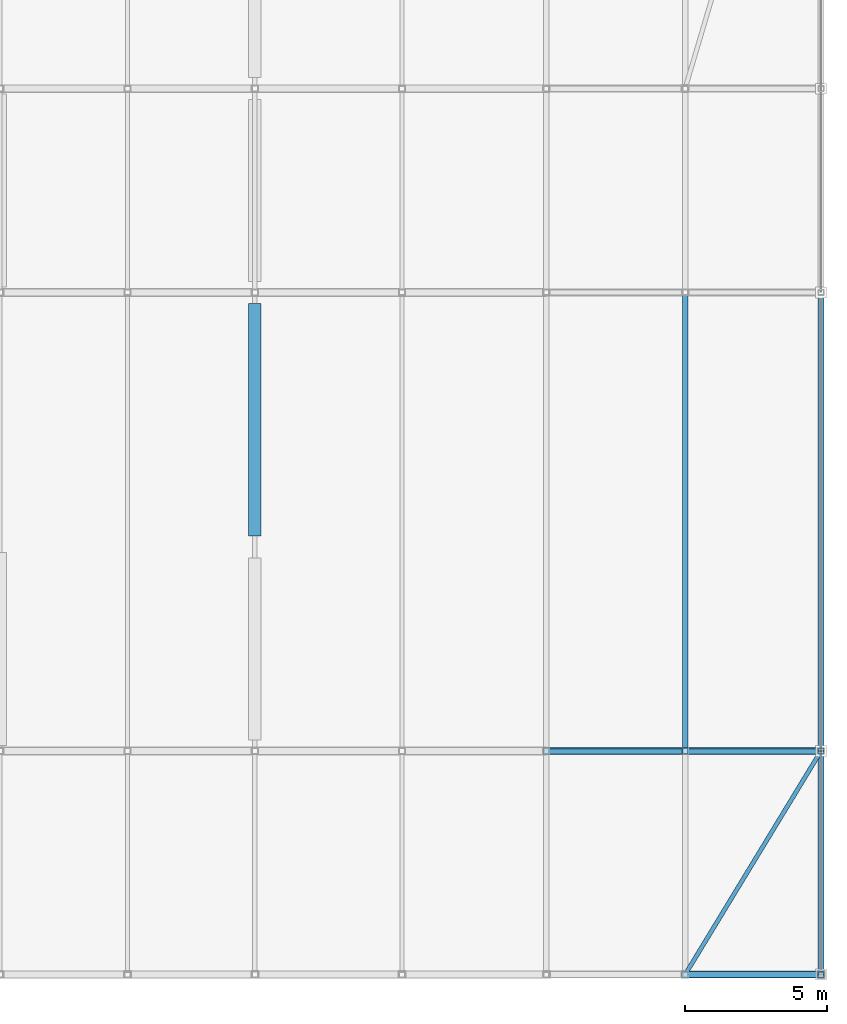
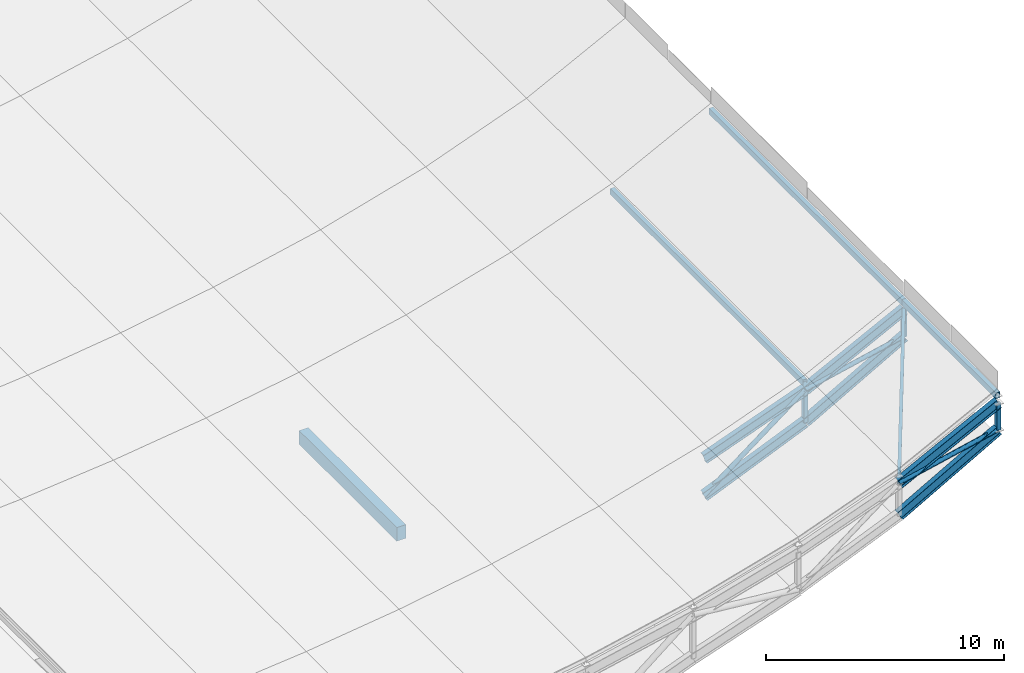
# One storey, part 6 of 24: 10 members, 7 beams.
"""IFC4 building model written with IfcOpenShell, lengths in metres."""

from ifc_helpers import new_model, si_unit, direction, frame, origin, origin_2d, place, context, subcontext, project, spatial, rectangle, hollow_rectangle, hollow_circle, i_section, extrude, material, material_profile, profile_set, type_object, element, save


model = new_model("IFC4")

# Units and contexts
model_context = context("Model", 3, precision=1e-05, world=origin(), true_north=direction((0.0, 1.0)))
body_context = subcontext(model_context, "Body", "Model", "MODEL_VIEW")
ifc_project = project(units=[si_unit("LENGTHUNIT", "METRE"), si_unit("AREAUNIT", "SQUARE_METRE"), si_unit("VOLUMEUNIT", "CUBIC_METRE"), si_unit("PLANEANGLEUNIT", "RADIAN"), si_unit("MASSUNIT", "GRAM", prefix="KILO"), si_unit("THERMODYNAMICTEMPERATUREUNIT", "KELVIN"), si_unit("POWERUNIT", "WATT")], contexts=[model_context])

# Site, building, storey
site_placement = place(None, origin())
site = spatial("IfcSite", under=ifc_project, at=site_placement, CompositionType="ELEMENT")
building_placement = place(site_placement, origin())
building = spatial("IfcBuilding", under=site, at=building_placement, Name="Sindhuravela Promenade Stadium", CompositionType="ELEMENT")
storey_placement = place(building_placement, frame((0.0, 0.0, 28.800048828125)))
storey = spatial("IfcBuildingStorey", under=building, at=storey_placement, Name="RF", CompositionType="ELEMENT", Elevation=28.800048828125)

# Beams
ifc_material_1 = material(Name="Concrete M40", Category="concrete")
ifc_material_profile_1 = material_profile(ifc_material_1, rectangle(XDim=0.449951171875, YDim=0.699951171875, at=origin_2d()), Name="RC 450x700")
ifc_profile_set_1 = profile_set([ifc_material_profile_1], Name="Concrete M40")
beam_type_1 = type_object("IfcBeamType", Name="RC-BM-450x700", PredefinedType="BEAM", material=ifc_profile_set_1)
beam_1_placement = place(storey_placement, frame((36.0, 52.590087890625, -0.590087890625), z_axis=(0.0, 1.0, 0.0), x_axis=(-1.0, 0.0, 0.0)))
element("IfcBeam", 1, at=beam_1_placement, inside=storey, type_object=beam_type_1, Name="Primary beam GB07 WEST RF", PredefinedType="BEAM", context=body_context, shape_type="SweptSolid", body=[
    extrude(rectangle(XDim=0.449951171875, YDim=0.699951171875, at=origin_2d()), origin(), (0.0, 0.0, 1.0), 8.219970703125),
])
ifc_material_2 = material(Name="Steel E350 (IS 2062 E350BR)", Category="steel")
ifc_material_profile_2 = material_profile(ifc_material_2, i_section(OverallWidth=0.25, OverallDepth=0.5, WebThickness=0.010009765625, FlangeThickness=0.0146484375, FilletRadius=0.014892578125, at=origin_2d()), Name="ISWB 500")
ifc_profile_set_2 = profile_set([ifc_material_profile_2], Name="Steel E350 (IS 2062 E350BR)")
beam_type_2 = type_object("IfcBeamType", Name="ST-BM-WB500", PredefinedType="USERDEFINED", material=ifc_profile_set_2)
beam_2_placement = place(storey_placement, frame((51.199951171875, 37.10009765625, 6.054931640625), z_axis=(0.8914422517070215, 0.0, 0.4531343199003089), x_axis=(0.0, 1.0, 0.0)))
element("IfcBeam", 2, at=beam_2_placement, inside=storey, type_object=beam_type_2, Name="Roof truss RT-W01 top chord 8", ObjectType="ROOF TRUSS", PredefinedType="USERDEFINED", context=body_context, shape_type="SweptSolid", body=[
    extrude(i_section(OverallWidth=0.25, OverallDepth=0.5, WebThickness=0.010009765625, FlangeThickness=0.0146484375, FilletRadius=0.014892578125, at=origin_2d()), origin(), (0.0, 0.0, 1.0), 5.384521484375),
])
beam_3_placement = place(storey_placement, frame((51.199951171875, 37.10009765625, 4.41015625), z_axis=(0.870823391625607, 0.0, 0.4915959932685322), x_axis=(0.0, 1.0, 0.0)))
element("IfcBeam", 3, at=beam_3_placement, inside=storey, type_object=beam_type_2, Name="Roof truss RT-W01 bottom chord 8", ObjectType="ROOF TRUSS", PredefinedType="USERDEFINED", context=body_context, shape_type="SweptSolid", body=[
    extrude(i_section(OverallWidth=0.25, OverallDepth=0.5, WebThickness=0.010009765625, FlangeThickness=0.0146484375, FilletRadius=0.014892578125, at=origin_2d()), origin(), (0.0, 0.0, 1.0), 5.511962890625),
])
beam_4_placement = place(storey_placement, frame((46.300048828125, 45.0, 4.24658203125), z_axis=(0.9381490392087664, 0.0, 0.34623168577076896), x_axis=(0.0, 1.0, 0.0)))
element("IfcBeam", 4, at=beam_4_placement, inside=storey, type_object=beam_type_2, Name="Roof truss RT-W02 top chord 7", ObjectType="ROOF TRUSS", PredefinedType="USERDEFINED", context=body_context, shape_type="SweptSolid", body=[
    extrude(i_section(OverallWidth=0.25, OverallDepth=0.5, WebThickness=0.010009765625, FlangeThickness=0.0146484375, FilletRadius=0.014892578125, at=origin_2d()), origin(), (0.0, 0.0, 1.0), 5.222900390625),
])
beam_5_placement = place(storey_placement, frame((46.300048828125, 45.0, 2.325927734375), z_axis=(0.9202112137061758, 0.0, 0.39142217894417647), x_axis=(0.0, 1.0, 0.0)))
element("IfcBeam", 5, at=beam_5_placement, inside=storey, type_object=beam_type_2, Name="Roof truss RT-W02 bottom chord 7", ObjectType="ROOF TRUSS", PredefinedType="USERDEFINED", context=body_context, shape_type="SweptSolid", body=[
    extrude(i_section(OverallWidth=0.25, OverallDepth=0.5, WebThickness=0.010009765625, FlangeThickness=0.0146484375, FilletRadius=0.014892578125, at=origin_2d()), origin(), (0.0, 0.0, 1.0), 5.32470703125),
])
beam_6_placement = place(storey_placement, frame((51.199951171875, 45.0, 6.054931640625), z_axis=(0.8914422517070215, 0.0, 0.4531343199003089), x_axis=(0.0, 1.0, 0.0)))
element("IfcBeam", 6, at=beam_6_placement, inside=storey, type_object=beam_type_2, Name="Roof truss RT-W02 top chord 8", ObjectType="ROOF TRUSS", PredefinedType="USERDEFINED", context=body_context, shape_type="SweptSolid", body=[
    extrude(i_section(OverallWidth=0.25, OverallDepth=0.5, WebThickness=0.010009765625, FlangeThickness=0.0146484375, FilletRadius=0.014892578125, at=origin_2d()), origin(), (0.0, 0.0, 1.0), 5.384521484375),
])
beam_7_placement = place(storey_placement, frame((51.199951171875, 45.0, 4.41015625), z_axis=(0.870823391625607, 0.0, 0.4915959932685322), x_axis=(0.0, 1.0, 0.0)))
element("IfcBeam", 7, at=beam_7_placement, inside=storey, type_object=beam_type_2, Name="Roof truss RT-W02 bottom chord 8", ObjectType="ROOF TRUSS", PredefinedType="USERDEFINED", context=body_context, shape_type="SweptSolid", body=[
    extrude(i_section(OverallWidth=0.25, OverallDepth=0.5, WebThickness=0.010009765625, FlangeThickness=0.0146484375, FilletRadius=0.014892578125, at=origin_2d()), origin(), (0.0, 0.0, 1.0), 5.511962890625),
])

# Members
ifc_material_profile_3 = material_profile(ifc_material_2, hollow_circle(Radius=0.109619140625, WallThickness=0.010009765625, at=origin_2d()), Name="CHS 219.1x10")
ifc_profile_set_3 = profile_set([ifc_material_profile_3], Name="Steel E350 (IS 2062 E350BR)")
member_type_1 = type_object("IfcMemberType", Name="ST-MB-CHS219", PredefinedType="BRACE", material=ifc_profile_set_3)
member_1_placement = place(storey_placement, frame((51.199951171875, 37.10009765625, 6.054931640625), z_axis=(0.9762617763838976, 0.0, 0.21659396106945533), x_axis=(0.0, 1.0, 0.0)))
element("IfcMember", 8, at=member_1_placement, inside=storey, type_object=member_type_1, Name="Roof truss RT-W01 diagonal web 8", PredefinedType="BRACE", context=body_context, shape_type="SweptSolid", body=[
    extrude(hollow_circle(Radius=0.109619140625, WallThickness=0.010009765625, at=origin_2d()), origin(), (0.0, 0.0, 1.0), 4.916748046875),
])
member_2_placement = place(storey_placement, frame((46.300048828125, 45.0, 2.325927734375), z_axis=(0.7957647236205557, 0.0, 0.605605898783277), x_axis=(0.0, 1.0, 0.0)))
element("IfcMember", 9, at=member_2_placement, inside=storey, type_object=member_type_1, Name="Roof truss RT-W02 diagonal web 7", PredefinedType="BRACE", context=body_context, shape_type="SweptSolid", body=[
    extrude(hollow_circle(Radius=0.109619140625, WallThickness=0.010009765625, at=origin_2d()), origin(), (0.0, 0.0, 1.0), 6.157470703125),
])
member_3_placement = place(storey_placement, frame((51.199951171875, 45.0, 6.054931640625), z_axis=(0.9762617763838976, 0.0, 0.21659396106945533), x_axis=(0.0, 1.0, 0.0)))
element("IfcMember", 10, at=member_3_placement, inside=storey, type_object=member_type_1, Name="Roof truss RT-W02 diagonal web 8", PredefinedType="BRACE", context=body_context, shape_type="SweptSolid", body=[
    extrude(hollow_circle(Radius=0.109619140625, WallThickness=0.010009765625, at=origin_2d()), origin(), (0.0, 0.0, 1.0), 4.916748046875),
])
ifc_material_profile_4 = material_profile(ifc_material_2, hollow_rectangle(XDim=0.199951171875, YDim=0.300048828125, WallThickness=0.010009765625, at=origin_2d()), Name="RHS 300x200x10")
ifc_profile_set_4 = profile_set([ifc_material_profile_4], Name="Steel E350 (IS 2062 E350BR)")
member_type_2 = type_object("IfcMemberType", Name="ST-MB-RHS300", PredefinedType="PURLIN", material=ifc_profile_set_4)
member_4_placement = place(storey_placement, frame((56.0, 37.10009765625, 8.862060546875), z_axis=(0.0, 1.0, 0.0), x_axis=(-1.0, 0.0, 0.0)))
element("IfcMember", 11, at=member_4_placement, inside=storey, type_object=member_type_2, Name="Roof purlin PR02 W bay 1.9", PredefinedType="PURLIN", context=body_context, shape_type="SweptSolid", body=[
    extrude(hollow_rectangle(XDim=0.199951171875, YDim=0.300048828125, WallThickness=0.010009765625, at=origin_2d()), origin(), (0.0, 0.0, 1.0), 7.89990234375),
])
for number, where, z_axis, x_axis, name in (
    (12, (51.199951171875, 45.0, 6.422119140625), (0.0, 1.0, 0.0), (-1.0, 0.0, 0.0), "Roof purlin PR02 W bay 2.8"),
    (13, (56.0, 45.0, 8.862060546875), (0.0, 1.0, 0.0), (-1.0, 0.0, 0.0), "Roof purlin PR02 W bay 2.9"),
):
    element("IfcMember", number, at=place(storey_placement, frame(where, z_axis=z_axis, x_axis=x_axis)), inside=storey, type_object=member_type_2, Name=name, PredefinedType="PURLIN", context=body_context, shape_type="SweptSolid", body=[
        extrude(hollow_rectangle(XDim=0.199951171875, YDim=0.300048828125, WallThickness=0.010009765625, at=origin_2d()), origin(), (0.0, 0.0, 1.0), 16.199951171875),
    ])
ifc_material_profile_5 = material_profile(ifc_material_2, hollow_rectangle(XDim=0.14990234375, YDim=0.14990234375, WallThickness=0.008056640625, at=origin_2d()), Name="SHS 150x150x8")
ifc_profile_set_5 = profile_set([ifc_material_profile_5], Name="Steel E350 (IS 2062 E350BR)")
member_type_3 = type_object("IfcMemberType", Name="ST-MB-SHS150", PredefinedType="BRACE", material=ifc_profile_set_5)
member_5_placement = place(storey_placement, frame((51.199951171875, 37.10009765625, 6.054931640625), z_axis=(0.5020734266545908, 0.8263105609932989, 0.2552119335733676), x_axis=(-0.8546108829421625, 0.519268946459171, 0.0)))
element("IfcMember", 14, at=member_5_placement, inside=storey, type_object=member_type_3, Name="Roof wind brace MB01 W bay 1", PredefinedType="BRACE", context=body_context, shape_type="SweptSolid", body=[
    extrude(hollow_rectangle(XDim=0.14990234375, YDim=0.14990234375, WallThickness=0.008056640625, at=origin_2d()), origin(), (0.0, 0.0, 1.0), 9.560546875),
])
ifc_material_profile_6 = material_profile(ifc_material_2, hollow_rectangle(XDim=0.199951171875, YDim=0.199951171875, WallThickness=0.010009765625, at=origin_2d()), Name="SHS 200x200x10")
ifc_profile_set_6 = profile_set([ifc_material_profile_6], Name="Steel E350 (IS 2062 E350BR)")
member_type_4 = type_object("IfcMemberType", Name="ST-MB-SHS200", PredefinedType="POST", material=ifc_profile_set_6)
member_6_placement = place(storey_placement, frame((56.0, 37.10009765625, 7.119873046875), z_axis=(0.0, 0.0, 1.0), x_axis=(1.0, 0.0, 0.0)))
element("IfcMember", 15, at=member_6_placement, inside=storey, type_object=member_type_4, Name="Roof truss RT-W01 vertical post 9", PredefinedType="POST", context=body_context, shape_type="SweptSolid", body=[
    extrude(hollow_rectangle(XDim=0.199951171875, YDim=0.199951171875, WallThickness=0.010009765625, at=origin_2d()), origin(), (0.0, 0.0, 1.0), 1.375),
])
member_7_placement = place(storey_placement, frame((51.199951171875, 45.0, 4.41015625), z_axis=(0.0, 0.0, 1.0), x_axis=(1.0, 0.0, 0.0)))
element("IfcMember", 16, at=member_7_placement, inside=storey, type_object=member_type_4, Name="Roof truss RT-W02 vertical post 8", PredefinedType="POST", context=body_context, shape_type="SweptSolid", body=[
    extrude(hollow_rectangle(XDim=0.199951171875, YDim=0.199951171875, WallThickness=0.010009765625, at=origin_2d()), origin(), (0.0, 0.0, 1.0), 1.644775390625),
])
member_8_placement = place(storey_placement, frame((56.0, 45.0, 7.119873046875), z_axis=(0.0, 0.0, 1.0), x_axis=(1.0, 0.0, 0.0)))
element("IfcMember", 17, at=member_8_placement, inside=storey, type_object=member_type_4, Name="Roof truss RT-W02 vertical post 9", PredefinedType="POST", context=body_context, shape_type="SweptSolid", body=[
    extrude(hollow_rectangle(XDim=0.199951171875, YDim=0.199951171875, WallThickness=0.010009765625, at=origin_2d()), origin(), (0.0, 0.0, 1.0), 1.375),
])

save(model, "model.ifc")
